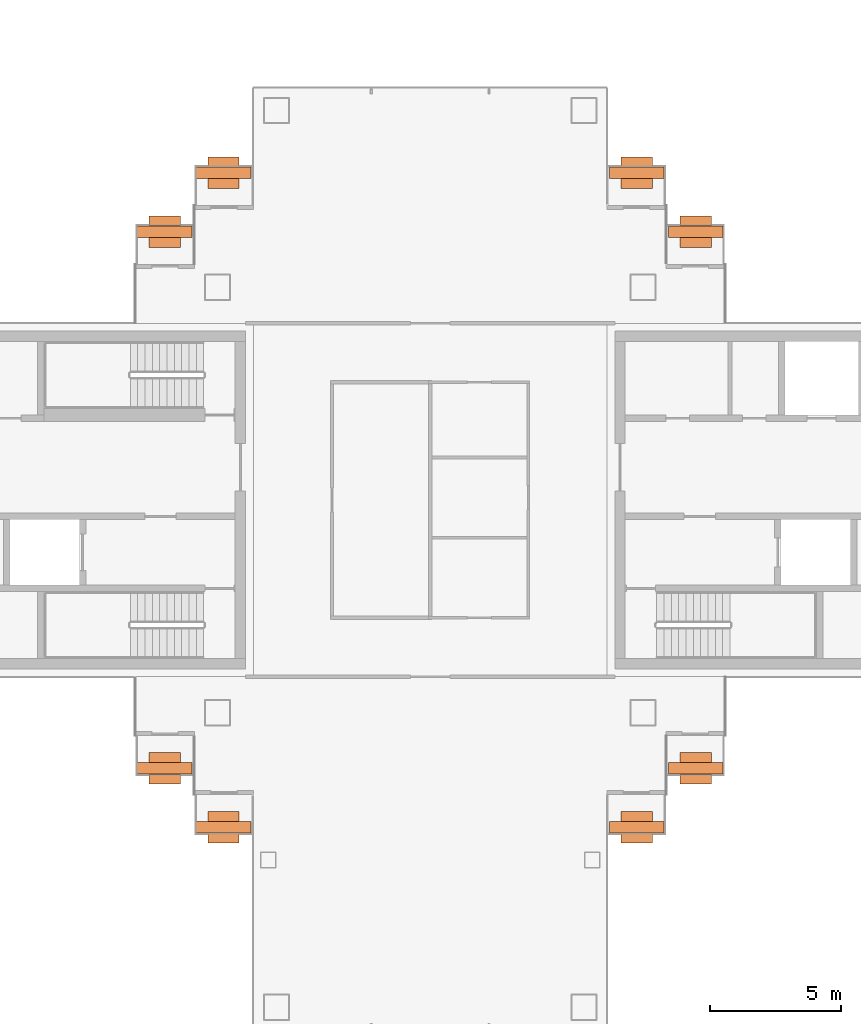
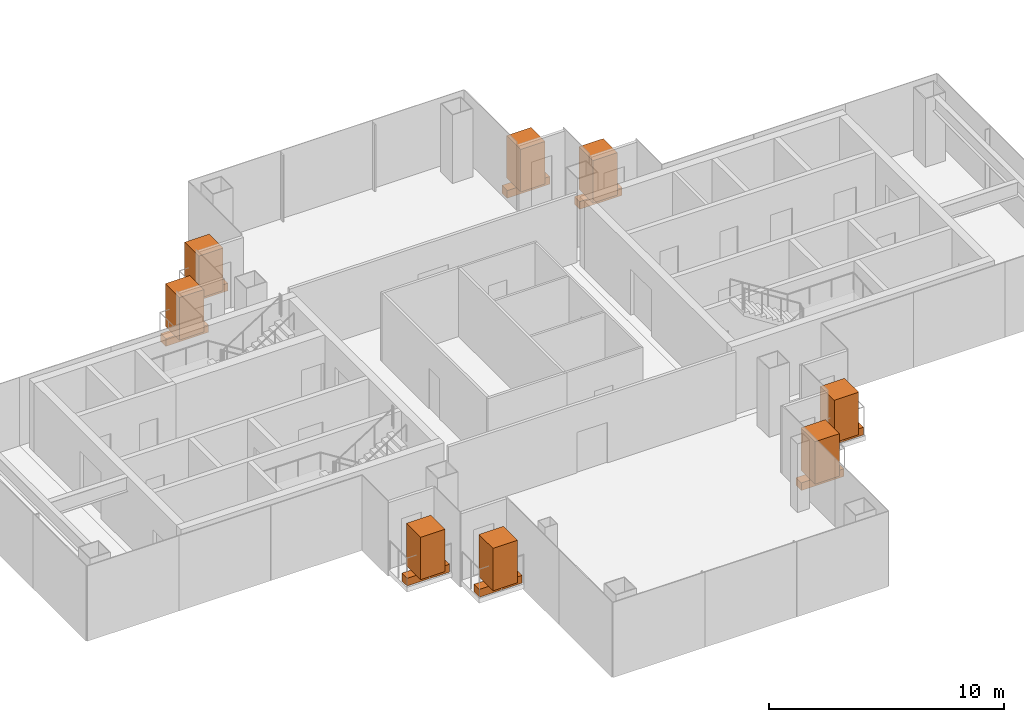
# One storey, part 17 of 17: 8 geographic elements, 8 proxies.
"""IFC4 building model written with IfcOpenShell, lengths in metres."""

from ifc_helpers import new_model, si_unit, direction, frame, origin, origin_2d, place, context, subcontext, project, spatial, rectangle, extrude, material, type_object, element, save


model = new_model("IFC4")

# Units and contexts
model_context = context("Model", 3, precision=1e-05, world=origin(), true_north=direction((0.0, 1.0)))
body_context = subcontext(model_context, "Body", "Model", "MODEL_VIEW")
ifc_project = project(units=[si_unit("LENGTHUNIT", "METRE"), si_unit("AREAUNIT", "SQUARE_METRE"), si_unit("VOLUMEUNIT", "CUBIC_METRE"), si_unit("PLANEANGLEUNIT", "RADIAN"), si_unit("MASSUNIT", "GRAM", prefix="KILO")], contexts=[model_context])

# Site, building, storey
site_placement = place(None, origin())
site = spatial("IfcSite", under=ifc_project, at=site_placement, CompositionType="ELEMENT")
building_placement = place(site_placement, origin())
building = spatial("IfcBuilding", under=site, at=building_placement, Name="Shamsa Quay Exchange Towers", CompositionType="ELEMENT")
storey_placement = place(building_placement, frame((0.0, 0.0, 217.800048828125)))
storey = spatial("IfcBuildingStorey", under=building, at=storey_placement, Name="L52", CompositionType="ELEMENT", Elevation=217.800048828125)

# Proxies
ifc_material_1 = material(Name="Reinforced concrete C30/37, black glass-fibre faced", Category="concrete")
building_element_proxy_type = type_object("IfcBuildingElementProxyType", Name="BALCONY PLANTER", PredefinedType="USERDEFINED", material=ifc_material_1)
for number, where, z_axis, x_axis, name in (
    (1, (-23.60595703125, 10.2451171875, 0.0), (0.0, 0.0, 1.0), (-1.0, 0.0, 0.0), "PLANTER T1-PKEN L52"),
    (2, (-25.85595703125, 12.4951171875, 0.0), (0.0, 0.0, 1.0), (-1.0, 0.0, 0.0), "PLANTER T1-PKEN L52"),
):
    element("IfcBuildingElementProxy", number, at=place(storey_placement, frame(where, z_axis=z_axis, x_axis=x_axis)), inside=storey, type_object=building_element_proxy_type, Name=name, ObjectType="PLANTER", PredefinedType="USERDEFINED", context=body_context, shape_type="SweptSolid", body=[
        extrude(rectangle(XDim=2.092041015625, YDim=0.449951171875, at=origin_2d()), origin(), (0.0, 0.0, 1.0), 0.39990234375),
    ])
for number, where, name in (
    (3, (-23.60595703125, -10.2451171875, 0.0), "PLANTER T1-PKES L52"),
    (4, (-25.85595703125, -12.4951171875, 0.0), "PLANTER T1-PKES L52"),
):
    element("IfcBuildingElementProxy", number, at=place(storey_placement, frame(where)), inside=storey, type_object=building_element_proxy_type, Name=name, ObjectType="PLANTER", PredefinedType="USERDEFINED", context=body_context, shape_type="SweptSolid", body=[
        extrude(rectangle(XDim=2.092041015625, YDim=0.449951171875, at=origin_2d()), origin(), (0.0, 0.0, 1.0), 0.39990234375),
    ])
for number, where, z_axis, x_axis, name in (
    (5, (-41.64404296875, 12.4951171875, 0.0), (0.0, 0.0, 1.0), (-1.0, 0.0, 0.0), "PLANTER T1-PKWN L52"),
    (6, (-43.89404296875, 10.2451171875, 0.0), (0.0, 0.0, 1.0), (-1.0, 0.0, 0.0), "PLANTER T1-PKWN L52"),
):
    element("IfcBuildingElementProxy", number, at=place(storey_placement, frame(where, z_axis=z_axis, x_axis=x_axis)), inside=storey, type_object=building_element_proxy_type, Name=name, ObjectType="PLANTER", PredefinedType="USERDEFINED", context=body_context, shape_type="SweptSolid", body=[
        extrude(rectangle(XDim=2.092041015625, YDim=0.449951171875, at=origin_2d()), origin(), (0.0, 0.0, 1.0), 0.39990234375),
    ])
for number, where, name in (
    (7, (-43.89404296875, -10.2451171875, 0.0), "PLANTER T1-PKWS L52"),
    (8, (-41.64404296875, -12.4951171875, 0.0), "PLANTER T1-PKWS L52"),
):
    element("IfcBuildingElementProxy", number, at=place(storey_placement, frame(where)), inside=storey, type_object=building_element_proxy_type, Name=name, ObjectType="PLANTER", PredefinedType="USERDEFINED", context=body_context, shape_type="SweptSolid", body=[
        extrude(rectangle(XDim=2.092041015625, YDim=0.449951171875, at=origin_2d()), origin(), (0.0, 0.0, 1.0), 0.39990234375),
    ])

# Geographic elements
ifc_material_2 = material(Name="Planting")
geographic_element_type = type_object("IfcGeographicElementType", Name="BALCONY TREE", PredefinedType="USERDEFINED", material=ifc_material_2)
for number, where, z_axis, x_axis, name in (
    (9, (-23.60595703125, 10.2451171875, 0.39990234375), (0.0, 0.0, 1.0), (-1.0, 0.0, 0.0), "TREE T1-PKEN L52"),
    (10, (-25.85595703125, 12.4951171875, 0.39990234375), (0.0, 0.0, 1.0), (-1.0, 0.0, 0.0), "TREE T1-PKEN L52"),
):
    element("IfcGeographicElement", number, at=place(storey_placement, frame(where, z_axis=z_axis, x_axis=x_axis)), inside=storey, type_object=geographic_element_type, Name=name, ObjectType="TREE", PredefinedType="USERDEFINED", context=body_context, shape_type="SweptSolid", body=[
        extrude(rectangle(XDim=1.199951171875, YDim=1.199951171875, at=origin_2d()), origin(), (0.0, 0.0, 1.0), 2.199951171875),
    ])
for number, where, name in (
    (11, (-23.60595703125, -10.2451171875, 0.39990234375), "TREE T1-PKES L52"),
    (12, (-25.85595703125, -12.4951171875, 0.39990234375), "TREE T1-PKES L52"),
):
    element("IfcGeographicElement", number, at=place(storey_placement, frame(where)), inside=storey, type_object=geographic_element_type, Name=name, ObjectType="TREE", PredefinedType="USERDEFINED", context=body_context, shape_type="SweptSolid", body=[
        extrude(rectangle(XDim=1.199951171875, YDim=1.199951171875, at=origin_2d()), origin(), (0.0, 0.0, 1.0), 2.199951171875),
    ])
for number, where, z_axis, x_axis, name in (
    (13, (-41.64404296875, 12.4951171875, 0.39990234375), (0.0, 0.0, 1.0), (-1.0, 0.0, 0.0), "TREE T1-PKWN L52"),
    (14, (-43.89404296875, 10.2451171875, 0.39990234375), (0.0, 0.0, 1.0), (-1.0, 0.0, 0.0), "TREE T1-PKWN L52"),
):
    element("IfcGeographicElement", number, at=place(storey_placement, frame(where, z_axis=z_axis, x_axis=x_axis)), inside=storey, type_object=geographic_element_type, Name=name, ObjectType="TREE", PredefinedType="USERDEFINED", context=body_context, shape_type="SweptSolid", body=[
        extrude(rectangle(XDim=1.199951171875, YDim=1.199951171875, at=origin_2d()), origin(), (0.0, 0.0, 1.0), 2.199951171875),
    ])
for number, where, name in (
    (15, (-43.89404296875, -10.2451171875, 0.39990234375), "TREE T1-PKWS L52"),
    (16, (-41.64404296875, -12.4951171875, 0.39990234375), "TREE T1-PKWS L52"),
):
    element("IfcGeographicElement", number, at=place(storey_placement, frame(where)), inside=storey, type_object=geographic_element_type, Name=name, ObjectType="TREE", PredefinedType="USERDEFINED", context=body_context, shape_type="SweptSolid", body=[
        extrude(rectangle(XDim=1.199951171875, YDim=1.199951171875, at=origin_2d()), origin(), (0.0, 0.0, 1.0), 2.199951171875),
    ])

save(model, "model.ifc")
